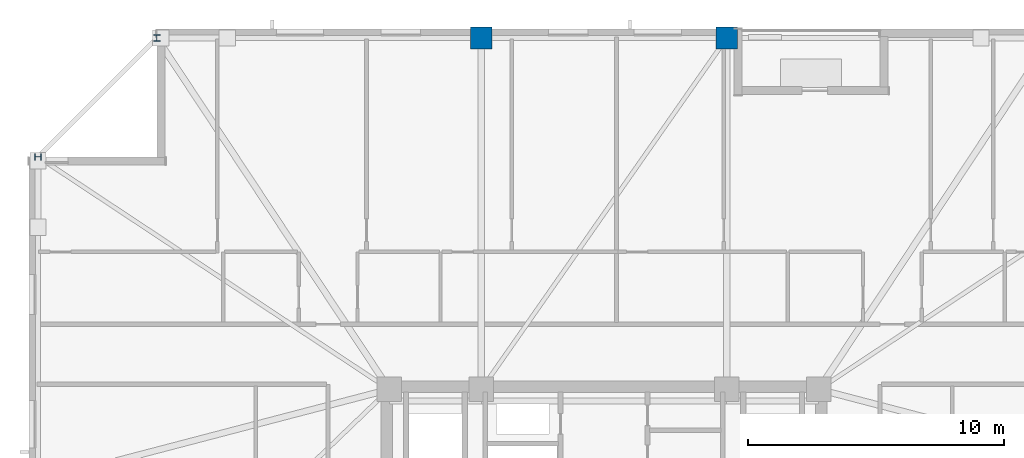
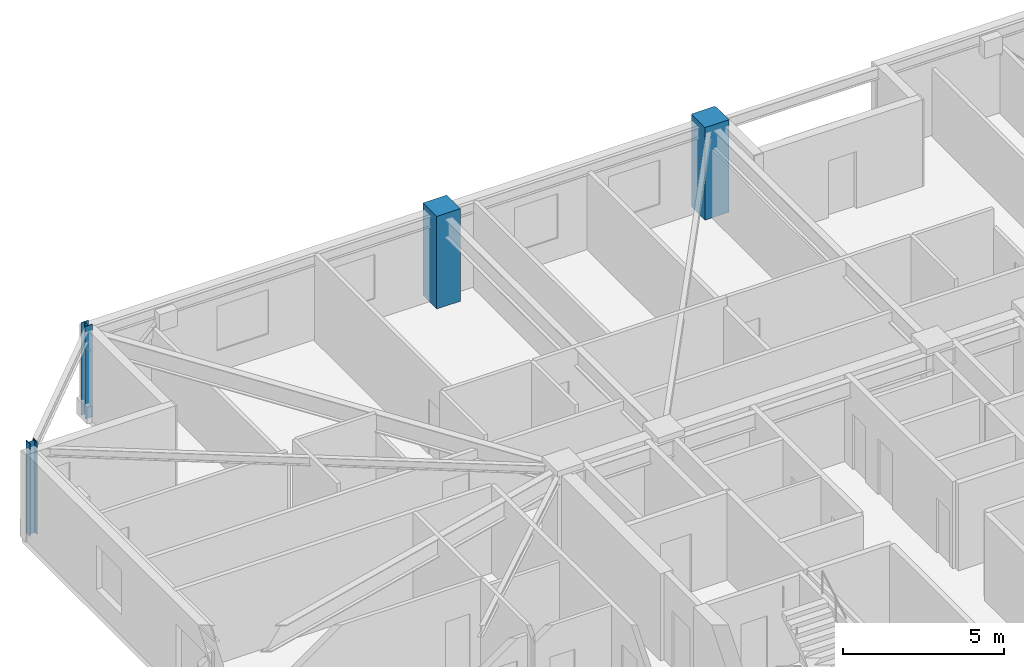
# One storey, part 4 of 17: 4 columns.
"""IFC4 building model written with IfcOpenShell, lengths in metres."""

from ifc_helpers import new_model, si_unit, direction, frame, origin, origin_2d, place, context, subcontext, project, spatial, rectangle, i_section, extrude, material, material_profile, profile_set, type_object, element, save


model = new_model("IFC4")

# Units and contexts
model_context = context("Model", 3, precision=1e-05, world=origin(), true_north=direction((0.0, 1.0)))
body_context = subcontext(model_context, "Body", "Model", "MODEL_VIEW")
ifc_project = project(units=[si_unit("LENGTHUNIT", "METRE"), si_unit("AREAUNIT", "SQUARE_METRE"), si_unit("VOLUMEUNIT", "CUBIC_METRE"), si_unit("PLANEANGLEUNIT", "RADIAN"), si_unit("MASSUNIT", "GRAM", prefix="KILO")], contexts=[model_context])

# Site, building, storey
site_placement = place(None, origin())
site = spatial("IfcSite", under=ifc_project, at=site_placement, CompositionType="ELEMENT")
building_placement = place(site_placement, origin())
building = spatial("IfcBuilding", under=site, at=building_placement, Name="Cairnveth Concourse Tower", CompositionType="ELEMENT")
storey_placement = place(building_placement, frame((0.0, 0.0, 202.5)))
storey = spatial("IfcBuildingStorey", under=building, at=storey_placement, Name="L55", CompositionType="ELEMENT", Elevation=202.5)

# Columns
ifc_material_1 = material(Name="Concrete N65 (65 MPa)", Category="concrete")
ifc_material_profile_1 = material_profile(ifc_material_1, rectangle(XDim=0.85009765625, YDim=0.85009765625, at=origin_2d()), Name="RC-COL-850x850")
ifc_profile_set_1 = profile_set([ifc_material_profile_1], Name="Concrete N65 (65 MPa)")
column_type_1 = type_object("IfcColumnType", Name="PERIMETER PIER COLUMN 850X850", PredefinedType="COLUMN", material=ifc_profile_set_1)
for number, where, z_axis, x_axis, name in (
    (1, (56.800048828125, 61.14990234375, 0.0), (0.0, 0.0, 1.0), (1.0, 0.0, 0.0), "Column P-N2 L55"),
    (2, (47.199951171875, 61.14990234375, 0.0), (0.0, 0.0, 1.0), (1.0, 0.0, 0.0), "Column P-N3 L55"),
):
    element("IfcColumn", number, at=place(storey_placement, frame(where, z_axis=z_axis, x_axis=x_axis)), inside=storey, type_object=column_type_1, Name=name, PredefinedType="COLUMN", context=body_context, shape_type="SweptSolid", body=[
        extrude(rectangle(XDim=0.85009765625, YDim=0.85009765625, at=origin_2d()), origin(), (0.0, 0.0, 1.0), 3.5),
    ])
ifc_material_2 = material(Name="Steel Grade 350", Category="steel")
ifc_material_profile_2 = material_profile(ifc_material_2, i_section(OverallWidth=0.256103515625, OverallDepth=0.260009765625, WebThickness=0.010498046875, FlangeThickness=0.017333984375, FilletRadius=0.012939453125, at=origin_2d()), Name="250UC89.5")
ifc_profile_set_2 = profile_set([ifc_material_profile_2], Name="Steel Grade 350")
column_type_2 = type_object("IfcColumnType", Name="UNIVERSAL STEEL COLUMN 250UC89.5", PredefinedType="COLUMN", material=ifc_profile_set_2)
for number, where, z_axis, x_axis, name in (
    (3, (34.5, 61.14990234375, 0.0), (0.0, 0.0, 1.0), (1.0, 0.0, 0.0), "Column P-N4 L55"),
    (4, (29.85009765625, 56.5, 0.0), (0.0, 0.0, 1.0), (0.0, 1.0, 0.0), "Column P-W1 L55"),
):
    element("IfcColumn", number, at=place(storey_placement, frame(where, z_axis=z_axis, x_axis=x_axis)), inside=storey, type_object=column_type_2, Name=name, PredefinedType="COLUMN", context=body_context, shape_type="SweptSolid", body=[
        extrude(i_section(OverallWidth=0.256103515625, OverallDepth=0.260009765625, WebThickness=0.010498046875, FlangeThickness=0.017333984375, FilletRadius=0.012939453125, at=origin_2d()), origin(), (0.0, 0.0, 1.0), 3.5),
    ])

save(model, "model.ifc")
